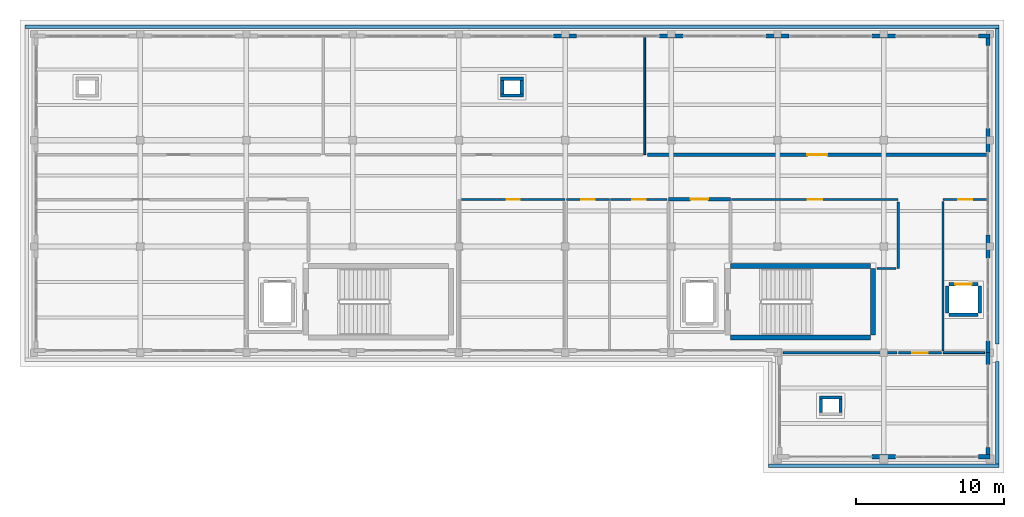
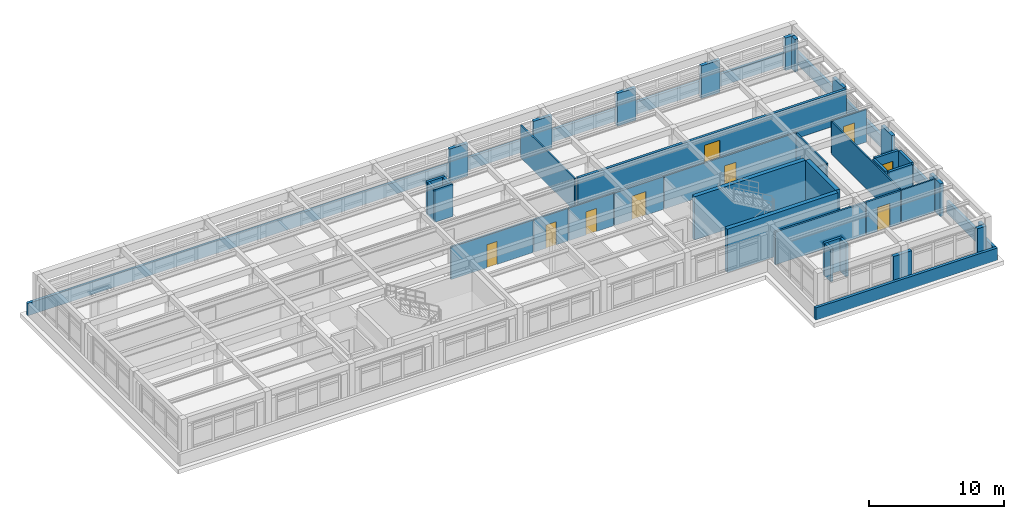
# One storey, part 16 of 20: 45 walls, 9 doors, 9 openings.
"""IFC4 building model written with IfcOpenShell, lengths in metres."""

from ifc_helpers import new_model, si_unit, direction, frame, frame_2d, origin, place, context, subcontext, project, spatial, rectangle, extrude, material, layer, layer_set, type_object, element, fill, save


model = new_model("IFC4")

# Units and contexts
model_context = context("Model", 3, precision=1e-05, world=origin(), true_north=direction((0.0, 1.0)))
body_context = subcontext(model_context, "Body", "Model", "MODEL_VIEW")
ifc_project = project(units=[si_unit("LENGTHUNIT", "METRE"), si_unit("AREAUNIT", "SQUARE_METRE"), si_unit("VOLUMEUNIT", "CUBIC_METRE"), si_unit("PLANEANGLEUNIT", "RADIAN"), si_unit("MASSUNIT", "GRAM", prefix="KILO")], contexts=[model_context])

# Site, building, storey
site_placement = place(None, origin())
site = spatial("IfcSite", under=ifc_project, at=site_placement, CompositionType="ELEMENT")
building_placement = place(site_placement, origin())
building = spatial("IfcBuilding", under=site, at=building_placement, Name="Solenvale Faculty of Natural Sciences", CompositionType="ELEMENT")
storey_placement = place(building_placement, frame((0.0, 0.0, 35.39990234375)))
storey = spatial("IfcBuildingStorey", under=building, at=storey_placement, Name="L08", CompositionType="ELEMENT", Elevation=35.39990234375)

# Walls
ifc_material_1 = material(Name="Precast concrete 40 MPa", Category="concrete")
ifc_layer_1 = layer(ifc_material_1, 0.284912109375)
ifc_layer_set_1 = layer_set([ifc_layer_1], Name="Precast concrete 40 MPa")
wall_type_1 = type_object("IfcWallType", Name="WL-EXT-PRC-285", PredefinedType="STANDARD", material=ifc_layer_set_1)
wall_1_placement = place(storey_placement, frame((151.0576171875, 93.60009765625, 0.0), z_axis=(0.0, 0.0, 1.0), x_axis=(0.0, 1.0, 0.0)))
element("IfcWall", 1, at=wall_1_placement, inside=storey, type_object=wall_type_1, Name="L08 Facade Closure Pier 1.B1-L", PredefinedType="STANDARD", context=body_context, shape_type="SweptSolid", body=[
    extrude(rectangle(XDim=0.787841796875, YDim=0.284912109375, at=frame_2d((0.39404296875, 0.0))), origin(), (0.0, 0.0, 1.0), 2.960205078125),
])
wall_2_placement = place(storey_placement, frame((151.0576171875, 100.011962890625, 0.0), z_axis=(0.0, 0.0, 1.0), x_axis=(0.0, 1.0, 0.0)))
element("IfcWall", 2, at=wall_2_placement, inside=storey, type_object=wall_type_1, Name="L08 Facade Closure Pier 1.B1-R", PredefinedType="STANDARD", context=body_context, shape_type="SweptSolid", body=[
    extrude(rectangle(XDim=1.575927734375, YDim=0.284912109375, at=frame_2d((0.7880859375, 0.0))), origin(), (0.0, 0.0, 1.0), 2.960205078125),
])
wall_3_placement = place(storey_placement, frame((151.0576171875, 107.2119140625, 0.0), z_axis=(0.0, 0.0, 1.0), x_axis=(0.0, 1.0, 0.0)))
element("IfcWall", 3, at=wall_3_placement, inside=storey, type_object=wall_type_1, Name="L08 Facade Closure Pier 1.B2-R", PredefinedType="STANDARD", context=body_context, shape_type="SweptSolid", body=[
    extrude(rectangle(XDim=1.576171875, YDim=0.284912109375, at=frame_2d((0.7880859375, 0.0))), origin(), (0.0, 0.0, 1.0), 2.960205078125),
])
wall_4_placement = place(storey_placement, frame((151.0576171875, 114.412109375, 0.0), z_axis=(0.0, 0.0, 1.0), x_axis=(0.0, 1.0, 0.0)))
element("IfcWall", 4, at=wall_4_placement, inside=storey, type_object=wall_type_1, Name="L08 Facade Closure Pier 1.B3-R", PredefinedType="STANDARD", context=body_context, shape_type="SweptSolid", body=[
    extrude(rectangle(XDim=0.5029296875, YDim=0.284912109375, at=frame_2d((0.25146484375, 0.0))), origin(), (0.0, 0.0, 1.0), 2.960205078125),
])
wall_5_placement = place(storey_placement, frame((151.199951171875, 115.0576171875, 0.0), z_axis=(0.0, 0.0, 1.0), x_axis=(-1.0, 0.0, 0.0)))
element("IfcWall", 5, at=wall_5_placement, inside=storey, type_object=wall_type_1, Name="L08 Facade Closure Pier 2.B1-L", PredefinedType="STANDARD", context=body_context, shape_type="SweptSolid", body=[
    extrude(rectangle(XDim=0.787841796875, YDim=0.284912109375, at=frame_2d((0.39404296875, 0.0))), origin(), (0.0, 0.0, 1.0), 2.960205078125),
])
wall_6_placement = place(storey_placement, frame((144.7880859375, 115.0576171875, 0.0), z_axis=(0.0, 0.0, 1.0), x_axis=(-1.0, 0.0, 0.0)))
element("IfcWall", 6, at=wall_6_placement, inside=storey, type_object=wall_type_1, Name="L08 Facade Closure Pier 2.B1-R", PredefinedType="STANDARD", context=body_context, shape_type="SweptSolid", body=[
    extrude(rectangle(XDim=1.576171875, YDim=0.284912109375, at=frame_2d((0.7880859375, 0.0))), origin(), (0.0, 0.0, 1.0), 2.960205078125),
])
for number, where, z_axis, x_axis, name in (
    (7, (137.587890625, 115.0576171875, 0.0), (0.0, 0.0, 1.0), (-1.0, 0.0, 0.0), "L08 Facade Closure Pier 2.B2-R"),
    (8, (130.387939453125, 115.0576171875, 0.0), (0.0, 0.0, 1.0), (-1.0, 0.0, 0.0), "L08 Facade Closure Pier 2.B3-R"),
    (9, (123.18798828125, 115.0576171875, 0.0), (0.0, 0.0, 1.0), (-1.0, 0.0, 0.0), "L08 Facade Closure Pier 2.B4-R"),
):
    element("IfcWall", number, at=place(storey_placement, frame(where, z_axis=z_axis, x_axis=x_axis)), inside=storey, type_object=wall_type_1, Name=name, PredefinedType="STANDARD", context=body_context, shape_type="SweptSolid", body=[
        extrude(rectangle(XDim=1.575927734375, YDim=0.284912109375, at=frame_2d((0.7880859375, 0.0))), origin(), (0.0, 0.0, 1.0), 2.960205078125),
    ])
wall_7_placement = place(storey_placement, frame((143.2119140625, 86.54248046875, 0.0), z_axis=(0.0, 0.0, 1.0), x_axis=(1.0, 0.0, 0.0)))
element("IfcWall", 10, at=wall_7_placement, inside=storey, type_object=wall_type_1, Name="L08 Facade Closure Pier 6.B1-R", PredefinedType="STANDARD", context=body_context, shape_type="SweptSolid", body=[
    extrude(rectangle(XDim=1.576171875, YDim=0.284912109375, at=frame_2d((0.7880859375, 0.0))), origin(), (0.0, 0.0, 1.0), 2.960205078125),
])
wall_8_placement = place(storey_placement, frame((150.412109375, 86.54248046875, 0.0), z_axis=(0.0, 0.0, 1.0), x_axis=(1.0, 0.0, 0.0)))
element("IfcWall", 11, at=wall_8_placement, inside=storey, type_object=wall_type_1, Name="L08 Facade Closure Pier 6.B2-R", PredefinedType="STANDARD", context=body_context, shape_type="SweptSolid", body=[
    extrude(rectangle(XDim=0.787841796875, YDim=0.284912109375, at=frame_2d((0.39404296875, 0.0))), origin(), (0.0, 0.0, 1.0), 2.960205078125),
])
wall_9_placement = place(storey_placement, frame((151.0576171875, 86.68505859375, 0.0), z_axis=(0.0, 0.0, 1.0), x_axis=(0.0, 1.0, 0.0)))
element("IfcWall", 12, at=wall_9_placement, inside=storey, type_object=wall_type_1, Name="L08 Facade Closure Pier 7.B1-L", PredefinedType="STANDARD", context=body_context, shape_type="SweptSolid", body=[
    extrude(rectangle(XDim=0.5029296875, YDim=0.284912109375, at=frame_2d((0.25146484375, 0.0))), origin(), (0.0, 0.0, 1.0), 2.960205078125),
])
wall_10_placement = place(storey_placement, frame((151.0576171875, 92.81201171875, 0.0), z_axis=(0.0, 0.0, 1.0), x_axis=(0.0, 1.0, 0.0)))
element("IfcWall", 13, at=wall_10_placement, inside=storey, type_object=wall_type_1, Name="L08 Facade Closure Pier 7.B1-R", PredefinedType="STANDARD", context=body_context, shape_type="SweptSolid", body=[
    extrude(rectangle(XDim=0.7880859375, YDim=0.284912109375, at=frame_2d((0.39404296875, 0.0))), origin(), (0.0, 0.0, 1.0), 2.960205078125),
])

# Wall, opening, door
ifc_material_2 = material(Name="Gypsum fire-rated shaftwall")
ifc_layer_2 = layer(ifc_material_2, 0.205078125)
ifc_layer_set_2 = layer_set([ifc_layer_2], Name="Gypsum fire-rated shaftwall")
wall_type_2 = type_object("IfcWallType", Name="WL-FFL-205", PredefinedType="PARTITIONING", material=ifc_layer_set_2)
wall_11_placement = place(storey_placement, frame((129.39990234375, 104.0, 0.0), z_axis=(0.0, 0.0, 1.0), x_axis=(1.0, 0.0, 0.0)))
wall_11 = element("IfcWall", 14, at=wall_11_placement, inside=storey, type_object=wall_type_2, Name="L08 Firefighting Lobby C5 Partition 1", PredefinedType="PARTITIONING", context=body_context, shape_type="SweptSolid", body=[
    extrude(rectangle(XDim=4.2001953125, YDim=0.205078125, at=frame_2d((2.10009765625, 0.0))), origin(), (0.0, 0.0, 1.0), 2.960205078125),
])
opening_1_placement = place(wall_11_placement, frame((1.5, 0.0, 0.0)))
opening_1 = element("IfcOpeningElement", 15, at=opening_1_placement, cuts=wall_11, Name="Opening D-L08-02", PredefinedType="OPENING", context=body_context, shape_type="SweptSolid", body=[
    extrude(rectangle(XDim=1.199951171875, YDim=2.14990234375, at=frame_2d((0.60009765625, 1.074951171875))), frame((0.0, 0.112548828125, 0.0), z_axis=(0.0, -1.0, 0.0), x_axis=(1.0, 0.0, 0.0)), (0.0, 0.0, 1.0), 0.22509765625),
])
ifc_material_3 = material(Name="Galvanised steel S355", Category="steel")
door_type_1 = type_object("IfcDoorType", Name="DR-FFL-1200x2150", OperationType="NOTDEFINED", PredefinedType="DOOR", material=ifc_material_3)
door_1_placement = place(opening_1_placement, origin())
door_1 = element("IfcDoor", 16, at=door_1_placement, inside=storey, type_object=door_type_1, Name="L08 Firefighting Lobby C5 Door", OperationType="SINGLE_SWING_LEFT", OverallHeight=2.14990234375, OverallWidth=1.199951171875, PredefinedType="DOOR", context=body_context, shape_type="SweptSolid", body=[
    extrude(rectangle(XDim=1.199951171875, YDim=2.14990234375, at=frame_2d((0.60009765625, 1.074951171875))), frame((0.0, 0.02490234375, 0.0), z_axis=(0.0, -1.0, 0.0), x_axis=(1.0, 0.0, 0.0)), (0.0, 0.0, 1.0), 0.050048828125),
])
fill(opening_1, door_1)

ifc_material_4 = material(Name="Gypsum fire-rated laboratory partition")
ifc_layer_3 = layer(ifc_material_4, 0.22802734375)
ifc_layer_set_3 = layer_set([ifc_layer_3], Name="Gypsum fire-rated laboratory partition")
wall_type_3 = type_object("IfcWallType", Name="WL-LAB-228", PredefinedType="PARTITIONING", material=ifc_layer_set_3)
wall_12_placement = place(storey_placement, frame((151.01806640625, 107.02001953125, 0.0), z_axis=(0.0, 0.0, 1.0), x_axis=(-1.0, 0.0, 0.0)))
wall_12 = element("IfcWall", 17, at=wall_12_placement, inside=storey, type_object=wall_type_3, Name="L08 Preparative Organic Chemistry Laboratory Partition 4", PredefinedType="PARTITIONING", context=body_context, shape_type="SweptSolid", body=[
    extrude(rectangle(XDim=23.026123046875, YDim=0.22802734375, at=frame_2d((11.51318359375, 0.0))), origin(), (0.0, 0.0, 1.0), 2.960205078125),
])
opening_2_placement = place(wall_12_placement, frame((10.837890625, 0.0, 0.0)))
opening_2 = element("IfcOpeningElement", 18, at=opening_2_placement, cuts=wall_12, Name="Opening D-L08-05", PredefinedType="OPENING", context=body_context, shape_type="SweptSolid", body=[
    extrude(rectangle(XDim=1.35009765625, YDim=2.14990234375, at=frame_2d((0.675048828125, 1.074951171875))), frame((0.0, 0.1240234375, 0.0), z_axis=(0.0, -1.0, 0.0), x_axis=(1.0, 0.0, 0.0)), (0.0, 0.0, 1.0), 0.248046875),
])
ifc_material_5 = material(Name="Oak acoustic timber leaf", Category="wood")
door_type_2 = type_object("IfcDoorType", Name="DR-LAB-1350x2150", OperationType="NOTDEFINED", PredefinedType="DOOR", material=ifc_material_5)
door_2_placement = place(opening_2_placement, origin())
door_2 = element("IfcDoor", 19, at=door_2_placement, inside=storey, type_object=door_type_2, Name="L08 Preparative Organic Chemistry Laboratory Door", OperationType="SINGLE_SWING_RIGHT", OverallHeight=2.14990234375, OverallWidth=1.35009765625, PredefinedType="DOOR", context=body_context, shape_type="SweptSolid", body=[
    extrude(rectangle(XDim=1.35009765625, YDim=2.14990234375, at=frame_2d((0.675048828125, 1.074951171875))), frame((0.0, 0.02490234375, 0.0), z_axis=(0.0, -1.0, 0.0), x_axis=(1.0, 0.0, 0.0)), (0.0, 0.0, 1.0), 0.050048828125),
])
fill(opening_2, door_2)

ifc_material_6 = material(Name="Acoustic stud gypsum partition")
ifc_layer_4 = layer(ifc_material_6, 0.125)
ifc_layer_set_4 = layer_set([ifc_layer_4], Name="Acoustic stud gypsum partition")
wall_type_4 = type_object("IfcWallType", Name="WL-OFF-125", PredefinedType="PARTITIONING", material=ifc_layer_set_4)
wall_13_placement = place(storey_placement, frame((148.02001953125, 103.97998046875, 0.0), z_axis=(0.0, 0.0, 1.0), x_axis=(1.0, 0.0, 0.0)))
wall_13 = element("IfcWall", 20, at=wall_13_placement, inside=storey, type_object=wall_type_4, Name="L08 Elevator Lobby Partition 1", PredefinedType="PARTITIONING", context=body_context, shape_type="SweptSolid", body=[
    extrude(rectangle(XDim=2.998046875, YDim=0.125, at=frame_2d((1.4990234375, 0.0))), origin(), (0.0, 0.0, 1.0), 2.960205078125),
])
opening_3_placement = place(wall_13_placement, frame((1.029052734375, 0.0, 0.0)))
opening_3 = element("IfcOpeningElement", 21, at=opening_3_placement, cuts=wall_13, Name="Opening D-L08-11", PredefinedType="OPENING", context=body_context, shape_type="SweptSolid", body=[
    extrude(rectangle(XDim=0.93994140625, YDim=2.10009765625, at=frame_2d((0.469970703125, 1.050048828125))), frame((0.0, 0.072509765625, 0.0), z_axis=(0.0, -1.0, 0.0), x_axis=(1.0, 0.0, 0.0)), (0.0, 0.0, 1.0), 0.14501953125),
])
door_type_3 = type_object("IfcDoorType", Name="DR-OFF-0940x2100", OperationType="NOTDEFINED", PredefinedType="DOOR", material=ifc_material_5)
door_3_placement = place(opening_3_placement, origin())
door_3 = element("IfcDoor", 22, at=door_3_placement, inside=storey, type_object=door_type_3, Name="L08 Elevator Lobby Door", OperationType="SINGLE_SWING_RIGHT", OverallHeight=2.10009765625, OverallWidth=0.93994140625, PredefinedType="DOOR", context=body_context, shape_type="SweptSolid", body=[
    extrude(rectangle(XDim=0.93994140625, YDim=2.10009765625, at=frame_2d((0.469970703125, 1.050048828125))), frame((0.0, 0.02490234375, 0.0), z_axis=(0.0, -1.0, 0.0), x_axis=(1.0, 0.0, 0.0)), (0.0, 0.0, 1.0), 0.050048828125),
])
fill(opening_3, door_3)

# Walls
wall_14_placement = place(storey_placement, frame((150.840087890625, 93.60009765625, 0.0), z_axis=(0.0, 0.0, 1.0), x_axis=(-1.0, 0.0, 0.0)))
element("IfcWall", 23, at=wall_14_placement, inside=storey, type_object=wall_type_4, Name="L08 Elevator Lobby Partition 3", PredefinedType="PARTITIONING", context=body_context, shape_type="SweptSolid", body=[
    extrude(rectangle(XDim=2.820068359375, YDim=0.125, at=frame_2d((1.41015625, 0.0))), origin(), (0.0, 0.0, 1.0), 2.960205078125),
])
wall_15_placement = place(storey_placement, frame((148.02001953125, 93.737060546875, 0.0), z_axis=(0.0, 0.0, 1.0), x_axis=(0.0, 1.0, 0.0)))
element("IfcWall", 24, at=wall_15_placement, inside=storey, type_object=wall_type_4, Name="L08 Elevator Lobby Partition 4", PredefinedType="PARTITIONING", context=body_context, shape_type="SweptSolid", body=[
    extrude(rectangle(XDim=10.10595703125, YDim=0.125, at=frame_2d((5.052978515625, 0.0))), origin(), (0.0, 0.0, 1.0), 2.960205078125),
])
ifc_layer_5 = layer(ifc_material_6, 0.132080078125)
ifc_layer_set_5 = layer_set([ifc_layer_5], Name="Acoustic stud gypsum partition")
wall_type_5 = type_object("IfcWallType", Name="WL-OFF-132", PredefinedType="PARTITIONING", material=ifc_layer_set_5)
wall_16_placement = place(storey_placement, frame((127.800048828125, 115.01708984375, 0.0), z_axis=(0.0, 0.0, 1.0), x_axis=(0.0, -1.0, 0.0)))
element("IfcWall", 25, at=wall_16_placement, inside=storey, type_object=wall_type_5, Name="L08 Faculty Staff Office Partition 3", PredefinedType="PARTITIONING", context=body_context, shape_type="SweptSolid", body=[
    extrude(rectangle(XDim=7.9970703125, YDim=0.132080078125, at=frame_2d((3.99853515625, 0.0))), origin(), (0.0, 0.0, 1.0), 2.960205078125),
])

# Wall, opening, door
ifc_layer_6 = layer(ifc_material_6, 0.139892578125)
ifc_layer_set_6 = layer_set([ifc_layer_6], Name="Acoustic stud gypsum partition")
wall_type_6 = type_object("IfcWallType", Name="WL-OFF-140", PredefinedType="PARTITIONING", material=ifc_layer_set_6)
wall_17_placement = place(storey_placement, frame((133.681884765625, 103.97998046875, 0.0), z_axis=(0.0, 0.0, 1.0), x_axis=(1.0, 0.0, 0.0)))
wall_17 = element("IfcWall", 26, at=wall_17_placement, inside=storey, type_object=wall_type_6, Name="L08 Building Electrical and Telecom Closet Partition 18", PredefinedType="PARTITIONING", context=body_context, shape_type="SweptSolid", body=[
    extrude(rectangle(XDim=11.298095703125, YDim=0.139892578125, at=frame_2d((5.64892578125, 0.0))), origin(), (0.0, 0.0, 1.0), 2.960205078125),
])
opening_4_placement = place(wall_17_placement, frame((5.158935546875, 0.0, 0.0)))
opening_4 = element("IfcOpeningElement", 27, at=opening_4_placement, cuts=wall_17, Name="Opening D-L08-10", PredefinedType="OPENING", context=body_context, shape_type="SweptSolid", body=[
    extrude(rectangle(XDim=0.97998046875, YDim=2.10009765625, at=frame_2d((0.489990234375, 1.050048828125))), frame((0.0, 0.079833984375, 0.0), z_axis=(0.0, -1.0, 0.0), x_axis=(1.0, 0.0, 0.0)), (0.0, 0.0, 1.0), 0.159912109375),
])
door_type_4 = type_object("IfcDoorType", Name="DR-OFF-0980x2100", OperationType="NOTDEFINED", PredefinedType="DOOR", material=ifc_material_5)
door_4_placement = place(opening_4_placement, origin())
door_4 = element("IfcDoor", 28, at=door_4_placement, inside=storey, type_object=door_type_4, Name="L08 Building Electrical and Telecom Closet Door", OperationType="SINGLE_SWING_LEFT", OverallHeight=2.10009765625, OverallWidth=0.97998046875, PredefinedType="DOOR", context=body_context, shape_type="SweptSolid", body=[
    extrude(rectangle(XDim=0.97998046875, YDim=2.10009765625, at=frame_2d((0.489990234375, 1.050048828125))), frame((0.0, 0.02490234375, 0.0), z_axis=(0.0, -1.0, 0.0), x_axis=(1.0, 0.0, 0.0)), (0.0, 0.0, 1.0), 0.050048828125),
])
fill(opening_4, door_4)

# Walls
wall_18_placement = place(storey_placement, frame((144.97998046875, 103.827880859375, 0.0), z_axis=(0.0, 0.0, 1.0), x_axis=(0.0, -1.0, 0.0)))
element("IfcWall", 29, at=wall_18_placement, inside=storey, type_object=wall_type_6, Name="L08 Building Electrical and Telecom Closet Partition 19", PredefinedType="PARTITIONING", context=body_context, shape_type="SweptSolid", body=[
    extrude(rectangle(XDim=4.52783203125, YDim=0.139892578125, at=frame_2d((2.263916015625, 0.0))), origin(), (0.0, 0.0, 1.0), 2.960205078125),
])
wall_19_placement = place(storey_placement, frame((144.827880859375, 99.300048828125, 0.0), z_axis=(0.0, 0.0, 1.0), x_axis=(-1.0, 0.0, 0.0)))
element("IfcWall", 30, at=wall_19_placement, inside=storey, type_object=wall_type_6, Name="L08 Building Electrical and Telecom Closet Partition 20", PredefinedType="PARTITIONING", context=body_context, shape_type="SweptSolid", body=[
    extrude(rectangle(XDim=1.2958984375, YDim=0.139892578125, at=frame_2d((0.64794921875, 0.0))), origin(), (0.0, 0.0, 1.0), 2.960205078125),
])

# Wall, opening, door
ifc_layer_7 = layer(ifc_material_6, 0.14794921875)
ifc_layer_set_7 = layer_set([ifc_layer_7], Name="Acoustic stud gypsum partition")
wall_type_7 = type_object("IfcWallType", Name="WL-OFF-148", PredefinedType="PARTITIONING", material=ifc_layer_set_7)
wall_20_placement = place(storey_placement, frame((125.486083984375, 103.97998046875, 0.0), z_axis=(0.0, 0.0, 1.0), x_axis=(1.0, 0.0, 0.0)))
wall_20 = element("IfcWall", 31, at=wall_20_placement, inside=storey, type_object=wall_type_7, Name="L08 Analytical Balance Room Partition 2", PredefinedType="PARTITIONING", context=body_context, shape_type="SweptSolid", body=[
    extrude(rectangle(XDim=3.827880859375, YDim=0.14794921875, at=frame_2d((1.9140625, 0.0))), origin(), (0.0, 0.0, 1.0), 2.960205078125),
])
opening_5_placement = place(wall_20_placement, frame((1.4541015625, 0.0, 0.0)))
opening_5 = element("IfcOpeningElement", 32, at=opening_5_placement, cuts=wall_20, Name="Opening D-L08-09", PredefinedType="OPENING", context=body_context, shape_type="SweptSolid", body=[
    extrude(rectangle(XDim=0.919921875, YDim=2.10009765625, at=frame_2d((0.4599609375, 1.050048828125))), frame((0.0, 0.083984375, 0.0), z_axis=(0.0, -1.0, 0.0), x_axis=(1.0, 0.0, 0.0)), (0.0, 0.0, 1.0), 0.16796875),
])
door_type_5 = type_object("IfcDoorType", Name="DR-OFF-0920x2100", OperationType="NOTDEFINED", PredefinedType="DOOR", material=ifc_material_5)
door_5_placement = place(opening_5_placement, origin())
door_5 = element("IfcDoor", 33, at=door_5_placement, inside=storey, type_object=door_type_5, Name="L08 Analytical Balance Room Door", OperationType="SINGLE_SWING_RIGHT", OverallHeight=2.10009765625, OverallWidth=0.919921875, PredefinedType="DOOR", context=body_context, shape_type="SweptSolid", body=[
    extrude(rectangle(XDim=0.919921875, YDim=2.10009765625, at=frame_2d((0.4599609375, 1.050048828125))), frame((0.0, 0.02490234375, 0.0), z_axis=(0.0, -1.0, 0.0), x_axis=(1.0, 0.0, 0.0)), (0.0, 0.0, 1.0), 0.050048828125),
])
fill(opening_5, door_5)

# Walls
ifc_material_7 = material(Name="Architectural bronze concrete 40 MPa", Category="concrete")
ifc_layer_8 = layer(ifc_material_7, 0.239990234375)
ifc_layer_set_8 = layer_set([ifc_layer_8], Name="Architectural bronze concrete 40 MPa")
wall_type_8 = type_object("IfcWallType", Name="WL-PAR-BRZ-240", PredefinedType="PARAPET", material=ifc_layer_set_8)
wall_21_placement = place(storey_placement, frame((85.800048828125, 115.679931640625, 0.0), z_axis=(0.0, 0.0, 1.0), x_axis=(1.0, 0.0, 0.0)))
element("IfcWall", 34, at=wall_21_placement, inside=storey, type_object=wall_type_8, Name="L08 Tower Horizontal Concrete Band 3", PredefinedType="PARAPET", context=body_context, shape_type="SweptSolid", body=[
    extrude(rectangle(XDim=66.0, YDim=0.239990234375, at=frame_2d((33.0, 0.0))), origin(), (0.0, 0.0, 1.0), 1.1201171875),
])
wall_22_placement = place(storey_placement, frame((151.679931640625, 115.56005859375, 0.0), z_axis=(0.0, 0.0, 1.0), x_axis=(0.0, -1.0, 0.0)))
element("IfcWall", 35, at=wall_22_placement, inside=storey, type_object=wall_type_8, Name="L08 Tower Horizontal Concrete Band 4", PredefinedType="PARAPET", context=body_context, shape_type="SweptSolid", body=[
    extrude(rectangle(XDim=21.360107421875, YDim=0.239990234375, at=frame_2d((10.68017578125, 0.0))), origin(), (0.0, 0.0, 1.0), 1.1201171875),
])
wall_23_placement = place(storey_placement, frame((151.679931640625, 93.0, 0.0), z_axis=(0.0, 0.0, 1.0), x_axis=(0.0, -1.0, 0.0)))
element("IfcWall", 36, at=wall_23_placement, inside=storey, type_object=wall_type_8, Name="L08 Tower Horizontal Concrete Band 5", PredefinedType="PARAPET", context=body_context, shape_type="SweptSolid", body=[
    extrude(rectangle(XDim=6.9599609375, YDim=0.239990234375, at=frame_2d((3.47998046875, 0.0))), origin(), (0.0, 0.0, 1.0), 1.1201171875),
])
wall_24_placement = place(storey_placement, frame((151.800048828125, 85.919921875, 0.0), z_axis=(0.0, 0.0, 1.0), x_axis=(-1.0, 0.0, 0.0)))
element("IfcWall", 37, at=wall_24_placement, inside=storey, type_object=wall_type_8, Name="L08 Tower Horizontal Concrete Band 6", PredefinedType="PARAPET", context=body_context, shape_type="SweptSolid", body=[
    extrude(rectangle(XDim=15.60009765625, YDim=0.239990234375, at=frame_2d((7.800048828125, 0.0))), origin(), (0.0, 0.0, 1.0), 1.1201171875),
])

# Wall, opening, door
ifc_material_8 = material(Name="Acoustic double-stud gypsum partition")
ifc_layer_9 = layer(ifc_material_8, 0.169921875)
ifc_layer_set_9 = layer_set([ifc_layer_9], Name="Acoustic double-stud gypsum partition")
wall_type_9 = type_object("IfcWallType", Name="WL-SEM-170", PredefinedType="PARTITIONING", material=ifc_layer_set_9)
wall_25_placement = place(storey_placement, frame((145.0, 93.580078125, 0.0), z_axis=(0.0, 0.0, 1.0), x_axis=(1.0, 0.0, 0.0)))
wall_25 = element("IfcWall", 38, at=wall_25_placement, inside=storey, type_object=wall_type_9, Name="L08 Seminar Room Partition 16", PredefinedType="PARTITIONING", context=body_context, shape_type="SweptSolid", body=[
    extrude(rectangle(XDim=2.923095703125, YDim=0.169921875, at=frame_2d((1.46142578125, 0.0))), origin(), (0.0, 0.0, 1.0), 2.960205078125),
])
opening_6_placement = place(wall_25_placement, frame((0.93701171875, 0.0, 0.0)))
opening_6 = element("IfcOpeningElement", 39, at=opening_6_placement, cuts=wall_25, Name="Opening D-L08-12", PredefinedType="OPENING", context=body_context, shape_type="SweptSolid", body=[
    extrude(rectangle(XDim=1.050048828125, YDim=2.14990234375, at=frame_2d((0.52490234375, 1.074951171875))), frame((0.0, 0.094970703125, 0.0), z_axis=(0.0, -1.0, 0.0), x_axis=(1.0, 0.0, 0.0)), (0.0, 0.0, 1.0), 0.18994140625),
])
door_type_6 = type_object("IfcDoorType", Name="DR-SEM-1050x2150", OperationType="NOTDEFINED", PredefinedType="DOOR", material=ifc_material_5)
door_6_placement = place(opening_6_placement, origin())
door_6 = element("IfcDoor", 40, at=door_6_placement, inside=storey, type_object=door_type_6, Name="L08 Seminar Room Door", OperationType="SINGLE_SWING_LEFT", OverallHeight=2.14990234375, OverallWidth=1.050048828125, PredefinedType="DOOR", context=body_context, shape_type="SweptSolid", body=[
    extrude(rectangle(XDim=1.050048828125, YDim=2.14990234375, at=frame_2d((0.52490234375, 1.074951171875))), frame((0.0, 0.02490234375, 0.0), z_axis=(0.0, -1.0, 0.0), x_axis=(1.0, 0.0, 0.0)), (0.0, 0.0, 1.0), 0.050048828125),
])
fill(opening_6, door_6)

# Walls
wall_26_placement = place(storey_placement, frame((137.181884765625, 93.60009765625, 0.0), z_axis=(0.0, 0.0, 1.0), x_axis=(1.0, 0.0, 0.0)))
element("IfcWall", 41, at=wall_26_placement, inside=storey, type_object=wall_type_9, Name="L08 Seminar Room Partition 33", PredefinedType="PARTITIONING", context=body_context, shape_type="SweptSolid", body=[
    extrude(rectangle(XDim=7.72119140625, YDim=0.169921875, at=frame_2d((3.860595703125, 0.0))), origin(), (0.0, 0.0, 1.0), 2.960205078125),
])
ifc_material_9 = material(Name="Concrete 40 MPa", Category="concrete")
ifc_layer_10 = layer(ifc_material_9, 0.219970703125)
ifc_layer_set_10 = layer_set([ifc_layer_10], Name="Concrete 40 MPa")
wall_type_10 = type_object("IfcWallType", Name="WL-SHF-220", PredefinedType="STANDARD", material=ifc_layer_set_10)
wall_27_placement = place(storey_placement, frame((148.405029296875, 96.169921875, 0.0), z_axis=(0.0, 0.0, 1.0), x_axis=(1.0, 0.0, 0.0)))
element("IfcWall", 42, at=wall_27_placement, inside=storey, type_object=wall_type_10, Name="Elevator LP-03 L08 Shaft Wall S", PredefinedType="STANDARD", context=body_context, shape_type="SweptSolid", body=[
    extrude(rectangle(XDim=1.989990234375, YDim=0.219970703125, at=frame_2d((0.9951171875, 0.0))), origin(), (0.0, 0.0, 1.0), 2.960205078125),
])

# Wall, opening, door
wall_28_placement = place(storey_placement, frame((148.405029296875, 98.22998046875, 0.0), z_axis=(0.0, 0.0, 1.0), x_axis=(1.0, 0.0, 0.0)))
wall_28 = element("IfcWall", 43, at=wall_28_placement, inside=storey, type_object=wall_type_10, Name="Elevator LP-03 L08 Shaft Wall N", PredefinedType="STANDARD", context=body_context, shape_type="SweptSolid", body=[
    extrude(rectangle(XDim=1.989990234375, YDim=0.219970703125, at=frame_2d((0.9951171875, 0.0))), origin(), (0.0, 0.0, 1.0), 2.960205078125),
])
opening_7_placement = place(wall_28_placement, frame((0.445068359375, 0.0, 0.0)))
opening_7 = element("IfcOpeningElement", 44, at=opening_7_placement, cuts=wall_28, Name="Opening LD-LP-03-L08", PredefinedType="OPENING", context=body_context, shape_type="SweptSolid", body=[
    extrude(rectangle(XDim=1.10009765625, YDim=2.14990234375, at=frame_2d((0.550048828125, 1.074951171875))), frame((0.0, 0.119873046875, 0.0), z_axis=(0.0, -1.0, 0.0), x_axis=(1.0, 0.0, 0.0)), (0.0, 0.0, 1.0), 0.239990234375),
])
ifc_material_10 = material(Name="Stainless steel Grade 304", Category="steel")
door_type_7 = type_object("IfcDoorType", Name="DR-LIFT-1100x2150", OperationType="NOTDEFINED", PredefinedType="DOOR", material=ifc_material_10)
door_7_placement = place(opening_7_placement, origin())
door_7 = element("IfcDoor", 45, at=door_7_placement, inside=storey, type_object=door_type_7, Name="Elevator LP-03 L08 Sliding Landing Door", OperationType="SLIDING_TO_LEFT", OverallHeight=2.14990234375, OverallWidth=1.10009765625, PredefinedType="DOOR", context=body_context, shape_type="SweptSolid", body=[
    extrude(rectangle(XDim=1.10009765625, YDim=2.14990234375, at=frame_2d((0.550048828125, 1.074951171875))), frame((0.0, 0.02490234375, 0.0), z_axis=(0.0, -1.0, 0.0), x_axis=(1.0, 0.0, 0.0)), (0.0, 0.0, 1.0), 0.050048828125),
])
fill(opening_7, door_7)

# Walls
for number, where, z_axis, x_axis, name in (
    (46, (148.294921875, 96.280029296875, 0.0), (0.0, 0.0, 1.0), (0.0, 1.0, 0.0), "Elevator LP-03 L08 Shaft Wall W"),
    (47, (150.5048828125, 96.280029296875, 0.0), (0.0, 0.0, 1.0), (0.0, 1.0, 0.0), "Elevator LP-03 L08 Shaft Wall E"),
):
    element("IfcWall", number, at=place(storey_placement, frame(where, z_axis=z_axis, x_axis=x_axis)), inside=storey, type_object=wall_type_10, Name=name, PredefinedType="STANDARD", context=body_context, shape_type="SweptSolid", body=[
        extrude(rectangle(XDim=1.840087890625, YDim=0.219970703125, at=frame_2d((0.919921875, 0.0))), origin(), (0.0, 0.0, 1.0), 2.960205078125),
    ])
for number, where, z_axis, x_axis, name in (
    (48, (118.030029296875, 111.0400390625, 0.0), (0.0, 0.0, 1.0), (1.0, 0.0, 0.0), "L08 Service Riser Shaft 2 Wall S"),
    (49, (118.030029296875, 112.159912109375, 0.0), (0.0, 0.0, 1.0), (1.0, 0.0, 0.0), "L08 Service Riser Shaft 2 Wall N"),
):
    element("IfcWall", number, at=place(storey_placement, frame(where, z_axis=z_axis, x_axis=x_axis)), inside=storey, type_object=wall_type_10, Name=name, PredefinedType="STANDARD", context=body_context, shape_type="SweptSolid", body=[
        extrude(rectangle(XDim=1.5400390625, YDim=0.219970703125, at=frame_2d((0.77001953125, 0.0))), origin(), (0.0, 0.0, 1.0), 2.960205078125),
    ])
for number, where, z_axis, x_axis, name in (
    (50, (118.139892578125, 111.14990234375, 0.0), (0.0, 0.0, 1.0), (0.0, 1.0, 0.0), "L08 Service Riser Shaft 2 Wall W"),
    (51, (119.4599609375, 111.14990234375, 0.0), (0.0, 0.0, 1.0), (0.0, 1.0, 0.0), "L08 Service Riser Shaft 2 Wall E"),
):
    element("IfcWall", number, at=place(storey_placement, frame(where, z_axis=z_axis, x_axis=x_axis)), inside=storey, type_object=wall_type_10, Name=name, PredefinedType="STANDARD", context=body_context, shape_type="SweptSolid", body=[
        extrude(rectangle(XDim=0.900146484375, YDim=0.219970703125, at=frame_2d((0.4501953125, 0.0))), origin(), (0.0, 0.0, 1.0), 2.960205078125),
    ])
wall_29_placement = place(storey_placement, frame((139.6298828125, 90.56005859375, 0.0), z_axis=(0.0, 0.0, 1.0), x_axis=(1.0, 0.0, 0.0)))
element("IfcWall", 52, at=wall_29_placement, inside=storey, type_object=wall_type_10, Name="L08 Service Riser Shaft 3 Wall N", PredefinedType="STANDARD", context=body_context, shape_type="SweptSolid", body=[
    extrude(rectangle(XDim=1.5400390625, YDim=0.219970703125, at=frame_2d((0.77001953125, 0.0))), origin(), (0.0, 0.0, 1.0), 2.960205078125),
])
for number, where, z_axis, x_axis, name in (
    (53, (139.739990234375, 89.550048828125, 0.0), (0.0, 0.0, 1.0), (0.0, 1.0, 0.0), "L08 Service Riser Shaft 3 Wall W"),
    (54, (141.06005859375, 89.550048828125, 0.0), (0.0, 0.0, 1.0), (0.0, 1.0, 0.0), "L08 Service Riser Shaft 3 Wall E"),
):
    element("IfcWall", number, at=place(storey_placement, frame(where, z_axis=z_axis, x_axis=x_axis)), inside=storey, type_object=wall_type_10, Name=name, PredefinedType="STANDARD", context=body_context, shape_type="SweptSolid", body=[
        extrude(rectangle(XDim=0.89990234375, YDim=0.219970703125, at=frame_2d((0.449951171875, 0.0))), origin(), (0.0, 0.0, 1.0), 2.960205078125),
    ])
ifc_material_11 = material(Name="Concrete 50 MPa", Category="concrete")
ifc_layer_11 = layer(ifc_material_11, 0.35009765625)
ifc_layer_set_11 = layer_set([ifc_layer_11], Name="Concrete 50 MPa")
wall_type_11 = type_object("IfcWallType", Name="WL-SHR-350", PredefinedType="SHEAR", material=ifc_layer_set_11)
for number, where, z_axis, x_axis, name in (
    (55, (133.60009765625, 94.625, 0.0), (0.0, 0.0, 1.0), (1.0, 0.0, 0.0), "Core C5 L08 Shear Wall S"),
    (56, (133.60009765625, 99.47509765625, 0.0), (0.0, 0.0, 1.0), (1.0, 0.0, 0.0), "Core C5 L08 Shear Wall N"),
):
    element("IfcWall", number, at=place(storey_placement, frame(where, z_axis=z_axis, x_axis=x_axis)), inside=storey, type_object=wall_type_11, Name=name, PredefinedType="SHEAR", context=body_context, shape_type="SweptSolid", body=[
        extrude(rectangle(XDim=9.5, YDim=0.35009765625, at=frame_2d((4.75, 0.0))), origin(), (0.0, 0.0, 1.0), 3.920166015625),
    ])
wall_30_placement = place(storey_placement, frame((143.27490234375, 94.800048828125, 0.0), z_axis=(0.0, 0.0, 1.0), x_axis=(0.0, 1.0, 0.0)))
element("IfcWall", 57, at=wall_30_placement, inside=storey, type_object=wall_type_11, Name="Core C5 L08 Shear Wall E", PredefinedType="SHEAR", context=body_context, shape_type="SweptSolid", body=[
    extrude(rectangle(XDim=4.5, YDim=0.35009765625, at=frame_2d((2.25, 0.0))), origin(), (0.0, 0.0, 1.0), 3.920166015625),
])

# Wall, opening, door
ifc_material_12 = material(Name="Moisture-resistant tile partition")
ifc_layer_12 = layer(ifc_material_12, 0.14990234375)
ifc_layer_set_12 = layer_set([ifc_layer_12], Name="Moisture-resistant tile partition")
wall_type_12 = type_object("IfcWallType", Name="WL-WC-150", PredefinedType="PARTITIONING", material=ifc_layer_set_12)
wall_31_placement = place(storey_placement, frame((115.362060546875, 103.97998046875, 0.0), z_axis=(0.0, 0.0, 1.0), x_axis=(1.0, 0.0, 0.0)))
wall_31 = element("IfcWall", 58, at=wall_31_placement, inside=storey, type_object=wall_type_12, Name="L08 Public Washroom Partition 2", PredefinedType="PARTITIONING", context=body_context, shape_type="SweptSolid", body=[
    extrude(rectangle(XDim=7.037841796875, YDim=0.14990234375, at=frame_2d((3.51904296875, 0.0))), origin(), (0.0, 0.0, 1.0), 2.960205078125),
])
opening_8_placement = place(wall_31_placement, frame((3.0791015625, 0.0, 0.0)))
opening_8 = element("IfcOpeningElement", 59, at=opening_8_placement, cuts=wall_31, Name="Opening D-L08-07", PredefinedType="OPENING", context=body_context, shape_type="SweptSolid", body=[
    extrude(rectangle(XDim=0.8798828125, YDim=2.10009765625, at=frame_2d((0.43994140625, 1.050048828125))), frame((0.0, 0.0849609375, 0.0), z_axis=(0.0, -1.0, 0.0), x_axis=(1.0, 0.0, 0.0)), (0.0, 0.0, 1.0), 0.169921875),
])
door_type_8 = type_object("IfcDoorType", Name="DR-WC-0880x2100", OperationType="NOTDEFINED", PredefinedType="DOOR", material=ifc_material_5)
door_8_placement = place(opening_8_placement, origin())
door_8 = element("IfcDoor", 60, at=door_8_placement, inside=storey, type_object=door_type_8, Name="L08 Public Washroom Door", OperationType="SINGLE_SWING_RIGHT", OverallHeight=2.10009765625, OverallWidth=0.8798828125, PredefinedType="DOOR", context=body_context, shape_type="SweptSolid", body=[
    extrude(rectangle(XDim=0.8798828125, YDim=2.10009765625, at=frame_2d((0.43994140625, 1.050048828125))), frame((0.0, 0.02490234375, 0.0), z_axis=(0.0, -1.0, 0.0), x_axis=(1.0, 0.0, 0.0)), (0.0, 0.0, 1.0), 0.050048828125),
])
fill(opening_8, door_8)

wall_32_placement = place(storey_placement, frame((122.487060546875, 103.97998046875, 0.0), z_axis=(0.0, 0.0, 1.0), x_axis=(1.0, 0.0, 0.0)))
wall_32 = element("IfcWall", 61, at=wall_32_placement, inside=storey, type_object=wall_type_12, Name="L08 Accessible Washroom Partition 2", PredefinedType="PARTITIONING", context=body_context, shape_type="SweptSolid", body=[
    extrude(rectangle(XDim=2.912841796875, YDim=0.14990234375, at=frame_2d((1.45654296875, 0.0))), origin(), (0.0, 0.0, 1.0), 2.960205078125),
])
opening_9_placement = place(wall_32_placement, frame((1.007080078125, 0.0, 0.0)))
opening_9 = element("IfcOpeningElement", 62, at=opening_9_placement, cuts=wall_32, Name="Opening D-L08-08", PredefinedType="OPENING", context=body_context, shape_type="SweptSolid", body=[
    extrude(rectangle(XDim=0.89990234375, YDim=2.10009765625, at=frame_2d((0.449951171875, 1.050048828125))), frame((0.0, 0.0849609375, 0.0), z_axis=(0.0, -1.0, 0.0), x_axis=(1.0, 0.0, 0.0)), (0.0, 0.0, 1.0), 0.169921875),
])
door_type_9 = type_object("IfcDoorType", Name="DR-WC-0900x2100", OperationType="NOTDEFINED", PredefinedType="DOOR", material=ifc_material_5)
door_9_placement = place(opening_9_placement, origin())
door_9 = element("IfcDoor", 63, at=door_9_placement, inside=storey, type_object=door_type_9, Name="L08 Accessible Washroom Door", OperationType="SINGLE_SWING_LEFT", OverallHeight=2.10009765625, OverallWidth=0.89990234375, PredefinedType="DOOR", context=body_context, shape_type="SweptSolid", body=[
    extrude(rectangle(XDim=0.89990234375, YDim=2.10009765625, at=frame_2d((0.449951171875, 1.050048828125))), frame((0.0, 0.02490234375, 0.0), z_axis=(0.0, -1.0, 0.0), x_axis=(1.0, 0.0, 0.0)), (0.0, 0.0, 1.0), 0.050048828125),
])
fill(opening_9, door_9)

save(model, "model.ifc")
